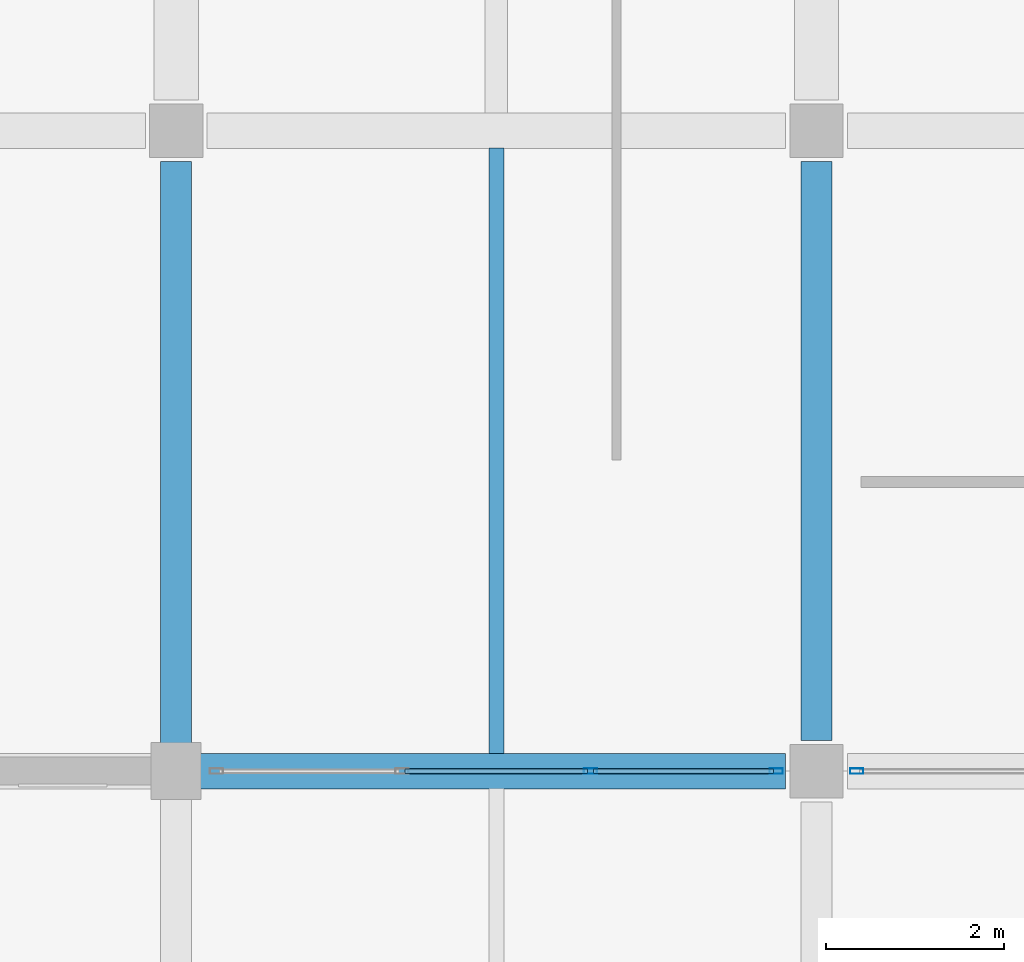
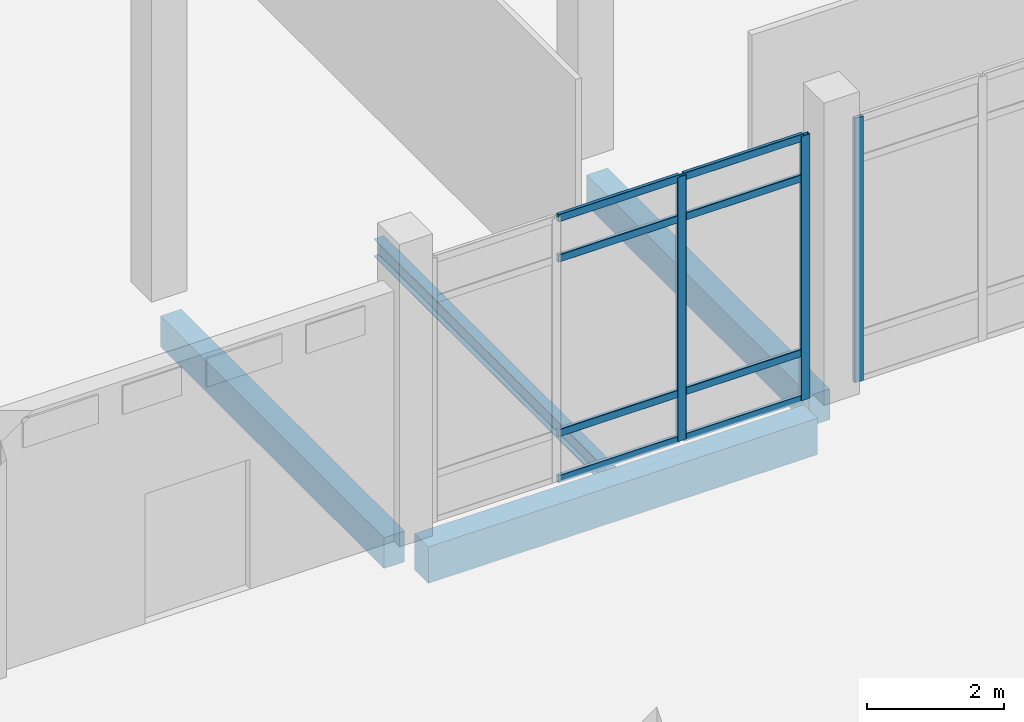
# One storey, part 126 of 180: 11 members, 4 beams, 2 elements without a shape of their own.
"""IFC4 building model written with IfcOpenShell, lengths in metres."""

from ifc_helpers import new_model, si_unit, direction, frame, origin, origin_2d, place, context, subcontext, project, spatial, rectangle, hollow_rectangle, i_section, extrude, material, material_profile, profile_set, type_object, element, aggregate, save


model = new_model("IFC4")

# Units and contexts
model_context = context("Model", 3, precision=1e-05, world=origin(), true_north=direction((0.0, 1.0)))
body_context = subcontext(model_context, "Body", "Model", "MODEL_VIEW")
ifc_project = project(units=[si_unit("LENGTHUNIT", "METRE"), si_unit("AREAUNIT", "SQUARE_METRE"), si_unit("VOLUMEUNIT", "CUBIC_METRE"), si_unit("PLANEANGLEUNIT", "RADIAN"), si_unit("MASSUNIT", "GRAM", prefix="KILO")], contexts=[model_context])

# Site, building, storey
site_placement = place(None, origin())
site = spatial("IfcSite", under=ifc_project, at=site_placement, CompositionType="ELEMENT")
building_placement = place(site_placement, origin())
building = spatial("IfcBuilding", under=site, at=building_placement, Name="Lusvemor Sports Hall", CompositionType="ELEMENT")
storey_placement = place(building_placement, frame((0.0, 0.0, 5.39990234375)))
storey = spatial("IfcBuildingStorey", under=building, at=storey_placement, Name="L01", CompositionType="ELEMENT", Elevation=5.39990234375)

# Beams
ifc_material_1 = material(Name="Concrete C40/50", Category="concrete")
ifc_material_profile_1 = material_profile(ifc_material_1, rectangle(XDim=0.35009765625, YDim=0.550048828125, at=origin_2d()), Name="RC350x550")
ifc_profile_set_1 = profile_set([ifc_material_profile_1], Name="Concrete C40/50")
beam_type_1 = type_object("IfcBeamType", Name="BEAM_RC_550", PredefinedType="BEAM", material=ifc_profile_set_1)
beam_1_placement = place(storey_placement, frame((133.199951171875, 97.51611328125, -0.534912109375), z_axis=(0.0, 1.0, 0.0), x_axis=(-1.0, 0.0, 0.0)))
element("IfcBeam", 1, at=beam_1_placement, inside=storey, type_object=beam_type_1, Name="Beam L01 15:N-P", PredefinedType="BEAM", context=body_context, shape_type="SweptSolid", body=[
    extrude(rectangle(XDim=0.35009765625, YDim=0.550048828125, at=origin_2d()), origin(), (0.0, 0.0, 1.0), 6.537841796875),
])
beam_2_placement = place(storey_placement, frame((140.39990234375, 97.5458984375, -0.534912109375), z_axis=(0.0, 1.0, 0.0), x_axis=(-1.0, 0.0, 0.0)))
element("IfcBeam", 2, at=beam_2_placement, inside=storey, type_object=beam_type_1, Name="Beam L01 16:N-P", PredefinedType="BEAM", context=body_context, shape_type="SweptSolid", body=[
    extrude(rectangle(XDim=0.35009765625, YDim=0.550048828125, at=origin_2d()), origin(), (0.0, 0.0, 1.0), 6.508056640625),
])
ifc_material_2 = material(Name="Concrete C40/50", Category="concrete")
ifc_material_profile_2 = material_profile(ifc_material_2, rectangle(XDim=0.39990234375, YDim=0.64990234375, at=origin_2d()), Name="RC400x650")
ifc_profile_set_2 = profile_set([ifc_material_profile_2], Name="Concrete C40/50")
beam_type_2 = type_object("IfcBeamType", Name="BEAM_RC_650", PredefinedType="BEAM", material=ifc_profile_set_2)
beam_3_placement = place(storey_placement, frame((133.47607421875, 97.199951171875, -0.594970703125), z_axis=(1.0, 0.0, 0.0), x_axis=(0.0, 1.0, 0.0)))
element("IfcBeam", 3, at=beam_3_placement, inside=storey, type_object=beam_type_2, Name="Beam L01 N:15-16", PredefinedType="BEAM", context=body_context, shape_type="SweptSolid", body=[
    extrude(rectangle(XDim=0.39990234375, YDim=0.64990234375, at=origin_2d()), origin(), (0.0, 0.0, 1.0), 6.577880859375),
])

# Curtain wall, members
ifc_material_3 = material(Name="Thermally broken bronze-anodized aluminium", Category="aluminium")
curtain_wall_type = type_object("IfcCurtainWallType", Name="CW_WING_B", PredefinedType="NOTDEFINED", material=ifc_material_3)
curtain_wall_1_placement = place(storey_placement, origin())
curtain_wall_1 = element("IfcCurtainWall", 4, at=curtain_wall_1_placement, inside=storey, type_object=curtain_wall_type, Name="Curtain Wall CW-L01-S-3-12", PredefinedType="NOTDEFINED")
ifc_material_4 = material(Name="Thermally broken bronze-anodized aluminium", Category="aluminium")
ifc_material_profile_3 = material_profile(ifc_material_4, hollow_rectangle(XDim=0.06494140625, YDim=0.14990234375, WallThickness=0.00390625, InnerFilletRadius=0.00390625, OuterFilletRadius=0.008056640625, at=origin_2d()), Name="CWMUL150x65x4")
ifc_profile_set_3 = profile_set([ifc_material_profile_3], Name="Thermally broken bronze-anodized aluminium")
member_type_1 = type_object("IfcMemberType", Name="CW_MUL_B", PredefinedType="MULLION", material=ifc_profile_set_3)
member_1_placement = place(storey_placement, frame((139.947509765625, 97.199951171875, 0.0), z_axis=(0.0, 0.0, 1.0), x_axis=(0.0, -1.0, 0.0)))
member_1 = element("IfcMember", 5, at=member_1_placement, type_object=member_type_1, Name="CW02 mullion 1", PredefinedType="MULLION", context=body_context, shape_type="SweptSolid", body=[
    extrude(hollow_rectangle(XDim=0.06494140625, YDim=0.14990234375, WallThickness=0.00390625, InnerFilletRadius=0.00390625, OuterFilletRadius=0.008056640625, at=origin_2d()), origin(), (0.0, 0.0, 1.0), 4.72021484375),
])
member_2_placement = place(storey_placement, frame((137.860107421875, 97.199951171875, 0.0), z_axis=(0.0, 0.0, 1.0), x_axis=(0.0, -1.0, 0.0)))
member_2 = element("IfcMember", 6, at=member_2_placement, type_object=member_type_1, Name="CW02 mullion 2", PredefinedType="MULLION", context=body_context, shape_type="SweptSolid", body=[
    extrude(hollow_rectangle(XDim=0.06494140625, YDim=0.14990234375, WallThickness=0.00390625, InnerFilletRadius=0.00390625, OuterFilletRadius=0.008056640625, at=origin_2d()), origin(), (0.0, 0.0, 1.0), 4.72021484375),
])

# Curtain wall, member
curtain_wall_2_placement = place(storey_placement, origin())
curtain_wall_2 = element("IfcCurtainWall", 7, at=curtain_wall_2_placement, inside=storey, type_object=curtain_wall_type, Name="Curtain Wall CW-L01-S-3-13", PredefinedType="NOTDEFINED")
member_3_placement = place(storey_placement, frame((140.8525390625, 97.199951171875, 0.0), z_axis=(0.0, 0.0, 1.0), x_axis=(0.0, -1.0, 0.0)))
member_3 = element("IfcMember", 8, at=member_3_placement, type_object=member_type_1, Name="CW02 mullion 4", PredefinedType="MULLION", context=body_context, shape_type="SweptSolid", body=[
    extrude(hollow_rectangle(XDim=0.06494140625, YDim=0.14990234375, WallThickness=0.00390625, InnerFilletRadius=0.00390625, OuterFilletRadius=0.008056640625, at=origin_2d()), origin(), (0.0, 0.0, 1.0), 4.72021484375),
])
aggregate(curtain_wall_2, [member_3])

# Member
ifc_material_5 = material(Name="Thermally broken bronze-anodized aluminium", Category="aluminium")
ifc_material_profile_4 = material_profile(ifc_material_5, hollow_rectangle(XDim=0.06005859375, YDim=0.135009765625, WallThickness=0.00390625, InnerFilletRadius=0.00390625, OuterFilletRadius=0.008056640625, at=origin_2d()), Name="CWTRN135x60x4")
ifc_profile_set_4 = profile_set([ifc_material_profile_4], Name="Thermally broken bronze-anodized aluminium")
member_type_2 = type_object("IfcMemberType", Name="CW_TRN_B", PredefinedType="USERDEFINED", material=ifc_profile_set_4)
member_4_placement = place(storey_placement, frame((139.9150390625, 97.199951171875, 0.030029296875), z_axis=(-1.0, 0.0, 0.0), x_axis=(0.0, -1.0, 0.0)))
member_4 = element("IfcMember", 9, at=member_4_placement, type_object=member_type_2, Name="CW02 transom 1.1", ObjectType="TRANSOM", PredefinedType="USERDEFINED", context=body_context, shape_type="SweptSolid", body=[
    extrude(hollow_rectangle(XDim=0.06005859375, YDim=0.135009765625, WallThickness=0.00390625, InnerFilletRadius=0.00390625, OuterFilletRadius=0.008056640625, at=origin_2d()), origin(), (0.0, 0.0, 1.0), 2.0224609375),
])

member_5_placement = place(storey_placement, frame((139.9150390625, 97.199951171875, 0.85009765625), z_axis=(-1.0, 0.0, 0.0), x_axis=(0.0, -1.0, 0.0)))
member_5 = element("IfcMember", 10, at=member_5_placement, type_object=member_type_2, Name="CW02 transom 1.2", ObjectType="TRANSOM", PredefinedType="USERDEFINED", context=body_context, shape_type="SweptSolid", body=[
    extrude(hollow_rectangle(XDim=0.06005859375, YDim=0.135009765625, WallThickness=0.00390625, InnerFilletRadius=0.00390625, OuterFilletRadius=0.008056640625, at=origin_2d()), origin(), (0.0, 0.0, 1.0), 2.0224609375),
])

member_6_placement = place(storey_placement, frame((139.9150390625, 97.199951171875, 3.97021484375), z_axis=(-1.0, 0.0, 0.0), x_axis=(0.0, -1.0, 0.0)))
member_6 = element("IfcMember", 11, at=member_6_placement, type_object=member_type_2, Name="CW02 transom 1.3", ObjectType="TRANSOM", PredefinedType="USERDEFINED", context=body_context, shape_type="SweptSolid", body=[
    extrude(hollow_rectangle(XDim=0.06005859375, YDim=0.135009765625, WallThickness=0.00390625, InnerFilletRadius=0.00390625, OuterFilletRadius=0.008056640625, at=origin_2d()), origin(), (0.0, 0.0, 1.0), 2.0224609375),
])

member_7_placement = place(storey_placement, frame((139.9150390625, 97.199951171875, 4.690185546875), z_axis=(-1.0, 0.0, 0.0), x_axis=(0.0, -1.0, 0.0)))
member_7 = element("IfcMember", 12, at=member_7_placement, type_object=member_type_2, Name="CW02 transom 1.4", ObjectType="TRANSOM", PredefinedType="USERDEFINED", context=body_context, shape_type="SweptSolid", body=[
    extrude(hollow_rectangle(XDim=0.06005859375, YDim=0.135009765625, WallThickness=0.00390625, InnerFilletRadius=0.00390625, OuterFilletRadius=0.008056640625, at=origin_2d()), origin(), (0.0, 0.0, 1.0), 2.0224609375),
])

member_8_placement = place(storey_placement, frame((137.827392578125, 97.199951171875, 0.030029296875), z_axis=(-1.0, 0.0, 0.0), x_axis=(0.0, -1.0, 0.0)))
member_8 = element("IfcMember", 13, at=member_8_placement, type_object=member_type_2, Name="CW02 transom 2.1", ObjectType="TRANSOM", PredefinedType="USERDEFINED", context=body_context, shape_type="SweptSolid", body=[
    extrude(hollow_rectangle(XDim=0.06005859375, YDim=0.135009765625, WallThickness=0.00390625, InnerFilletRadius=0.00390625, OuterFilletRadius=0.008056640625, at=origin_2d()), origin(), (0.0, 0.0, 1.0), 2.054931640625),
])

member_9_placement = place(storey_placement, frame((137.827392578125, 97.199951171875, 0.85009765625), z_axis=(-1.0, 0.0, 0.0), x_axis=(0.0, -1.0, 0.0)))
member_9 = element("IfcMember", 14, at=member_9_placement, type_object=member_type_2, Name="CW02 transom 2.2", ObjectType="TRANSOM", PredefinedType="USERDEFINED", context=body_context, shape_type="SweptSolid", body=[
    extrude(hollow_rectangle(XDim=0.06005859375, YDim=0.135009765625, WallThickness=0.00390625, InnerFilletRadius=0.00390625, OuterFilletRadius=0.008056640625, at=origin_2d()), origin(), (0.0, 0.0, 1.0), 2.054931640625),
])

member_10_placement = place(storey_placement, frame((137.827392578125, 97.199951171875, 3.97021484375), z_axis=(-1.0, 0.0, 0.0), x_axis=(0.0, -1.0, 0.0)))
member_10 = element("IfcMember", 15, at=member_10_placement, type_object=member_type_2, Name="CW02 transom 2.3", ObjectType="TRANSOM", PredefinedType="USERDEFINED", context=body_context, shape_type="SweptSolid", body=[
    extrude(hollow_rectangle(XDim=0.06005859375, YDim=0.135009765625, WallThickness=0.00390625, InnerFilletRadius=0.00390625, OuterFilletRadius=0.008056640625, at=origin_2d()), origin(), (0.0, 0.0, 1.0), 2.054931640625),
])

member_11_placement = place(storey_placement, frame((137.827392578125, 97.199951171875, 4.690185546875), z_axis=(-1.0, 0.0, 0.0), x_axis=(0.0, -1.0, 0.0)))
member_11 = element("IfcMember", 16, at=member_11_placement, type_object=member_type_2, Name="CW02 transom 2.4", ObjectType="TRANSOM", PredefinedType="USERDEFINED", context=body_context, shape_type="SweptSolid", body=[
    extrude(hollow_rectangle(XDim=0.06005859375, YDim=0.135009765625, WallThickness=0.00390625, InnerFilletRadius=0.00390625, OuterFilletRadius=0.008056640625, at=origin_2d()), origin(), (0.0, 0.0, 1.0), 2.054931640625),
])

aggregate(curtain_wall_1, [member_1, member_2, member_4, member_5, member_6, member_7, member_8, member_9, member_10, member_11])

# Beam
ifc_material_6 = material(Name="Steel S355", Category="steel")
ifc_material_profile_5 = material_profile(ifc_material_6, i_section(OverallWidth=0.1669921875, OverallDepth=0.31689453125, WebThickness=0.007568359375, FlangeThickness=0.01318359375, FilletRadius=0.014892578125, at=origin_2d()), Name="W310x52.0")
ifc_profile_set_5 = profile_set([ifc_material_profile_5], Name="Steel S355")
beam_type_3 = type_object("IfcBeamType", Name="JOIST_ST_310M", PredefinedType="JOIST", material=ifc_profile_set_5)
beam_4_placement = place(storey_placement, frame((136.800048828125, 97.39599609375, -0.42236328125), z_axis=(0.0, 1.0, 0.0), x_axis=(-1.0, 0.0, 0.0)))
element("IfcBeam", 17, at=beam_4_placement, inside=storey, type_object=beam_type_3, Name="Secondary Joist L01 15-16/N-P #1", PredefinedType="JOIST", context=body_context, shape_type="SweptSolid", body=[
    extrude(i_section(OverallWidth=0.1669921875, OverallDepth=0.31689453125, WebThickness=0.007568359375, FlangeThickness=0.01318359375, FilletRadius=0.014892578125, at=origin_2d()), origin(), (0.0, 0.0, 1.0), 6.80810546875),
])

save(model, "model.ifc")
